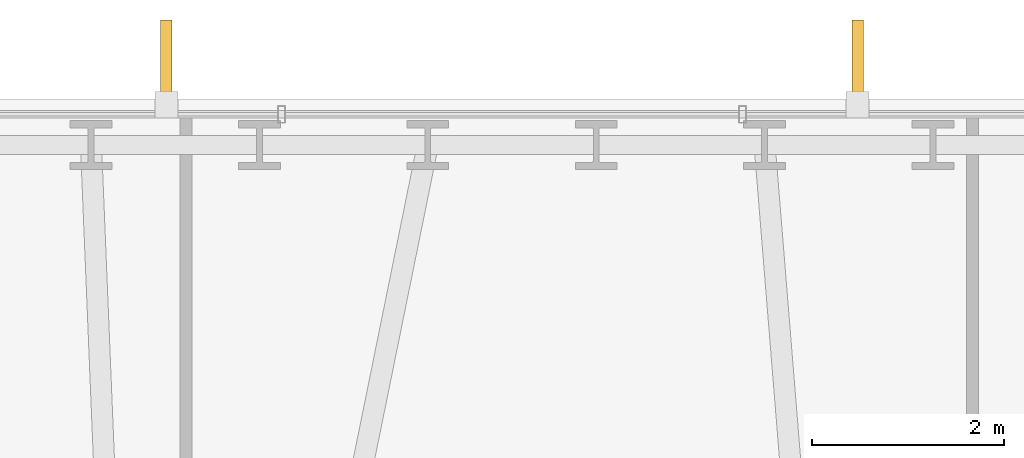
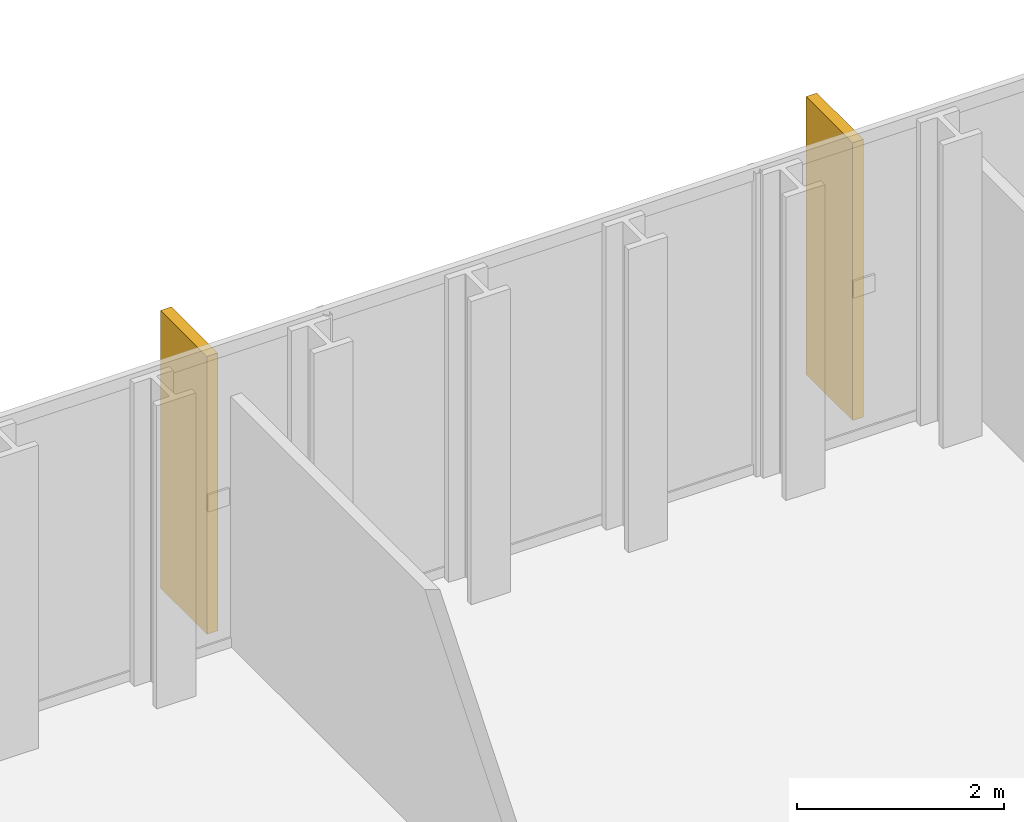
# One storey, part 33 of 33: 2 shading devices.
"""IFC4 building model written with IfcOpenShell, lengths in metres."""

from ifc_helpers import new_model, si_unit, direction, frame, origin, origin_2d, place, context, subcontext, project, spatial, rectangle, extrude, material, type_object, element, save


model = new_model("IFC4")

# Units and contexts
model_context = context("Model", 3, precision=1e-05, world=origin(), true_north=direction((0.0, 1.0)))
body_context = subcontext(model_context, "Body", "Model", "MODEL_VIEW")
ifc_project = project(units=[si_unit("LENGTHUNIT", "METRE"), si_unit("AREAUNIT", "SQUARE_METRE"), si_unit("VOLUMEUNIT", "CUBIC_METRE"), si_unit("PLANEANGLEUNIT", "RADIAN"), si_unit("MASSUNIT", "GRAM", prefix="KILO")], contexts=[model_context])

# Site, building, storey
site_placement = place(None, origin())
site = spatial("IfcSite", under=ifc_project, at=site_placement, CompositionType="ELEMENT")
building_placement = place(site_placement, origin())
building = spatial("IfcBuilding", under=site, at=building_placement, Name="Ndaravel Arena Tower", CompositionType="ELEMENT")
storey_placement = place(building_placement, frame((0.0, 0.0, 85.39990234375)))
storey = spatial("IfcBuildingStorey", under=building, at=storey_placement, Name="L19", CompositionType="ELEMENT", Elevation=85.39990234375)

# Shading devices
ifc_material = material(Name="Masonry", Category="masonry")
shading_device_type = type_object("IfcShadingDeviceType", Name="SHD-MAZERAS-FIN", PredefinedType="SHUTTER", material=ifc_material)
for number, where, z_axis, x_axis, name in (
    (1, (45.60498046875, 46.429931640625, 0.14990234375), (0.0, 0.0, 1.0), (0.0, 1.0, 0.0), "L19 Mazeras Stone Solar Fin E4.1"),
    (2, (38.39501953125, 46.429931640625, 0.14990234375), (0.0, 0.0, 1.0), (0.0, 1.0, 0.0), "L19 Mazeras Stone Solar Fin E4.2"),
):
    element("IfcShadingDevice", number, at=place(storey_placement, frame(where, z_axis=z_axis, x_axis=x_axis)), inside=storey, type_object=shading_device_type, Name=name, PredefinedType="SHUTTER", context=body_context, shape_type="SweptSolid", body=[
        extrude(rectangle(XDim=0.89990234375, YDim=0.1201171875, at=origin_2d()), origin(), (0.0, 0.0, 1.0), 3.280029296875),
    ])

save(model, "model.ifc")
